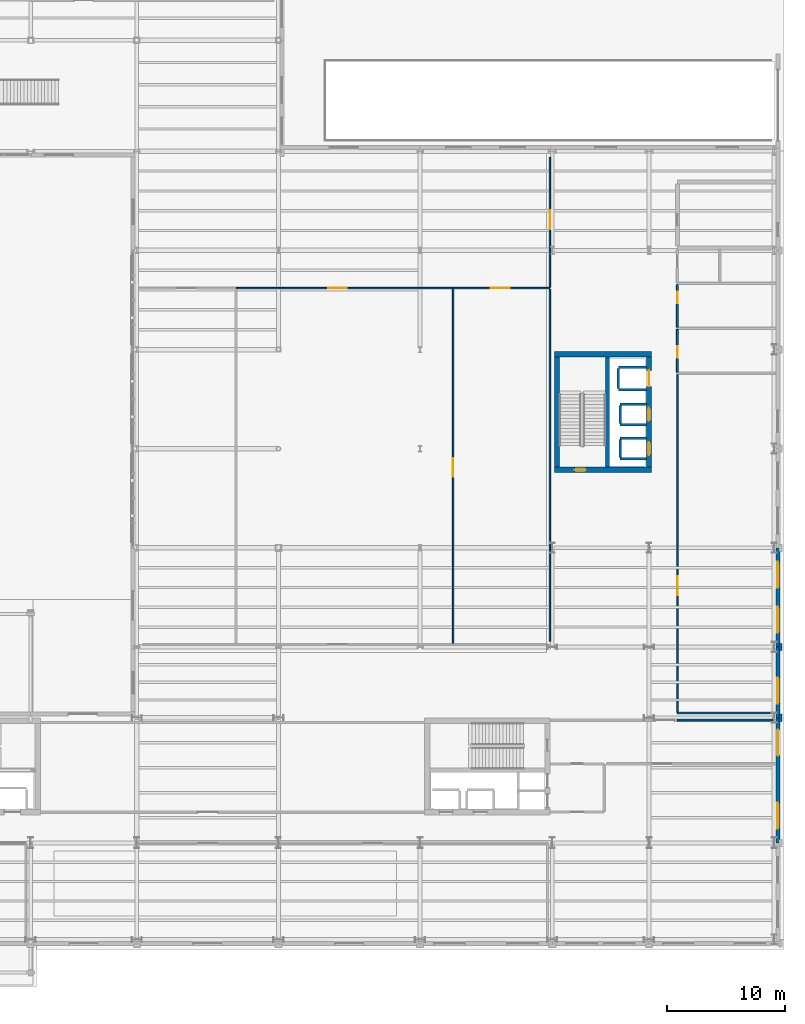
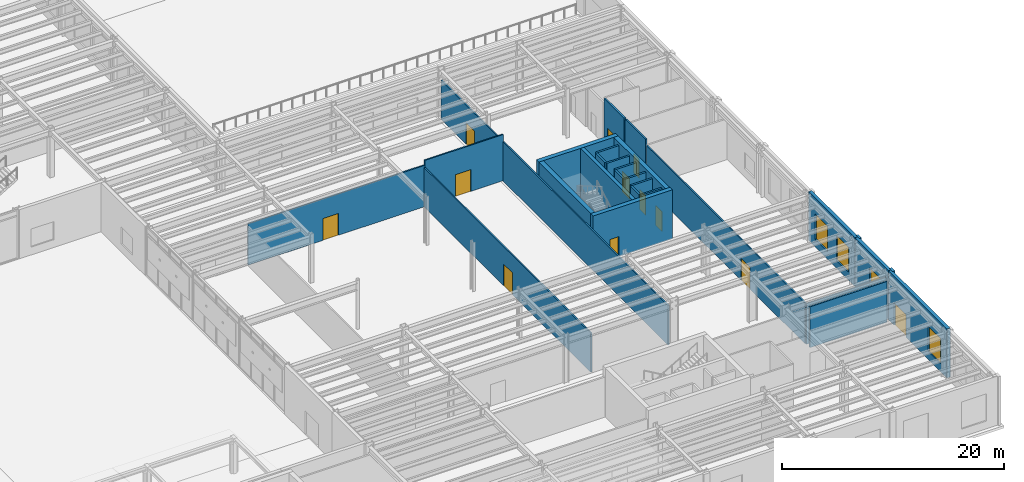
# One storey, part 79 of 94: 29 walls, 12 doors, 4 windows, 16 openings.
"""IFC4 building model written with IfcOpenShell, lengths in metres."""

from ifc_helpers import new_model, si_unit, direction, frame, frame_2d, origin, place, context, subcontext, project, spatial, rectangle, extrude, material, layer, layer_set, type_object, element, fill, save


model = new_model("IFC4")

# Units and contexts
model_context = context("Model", 3, precision=1e-05, world=origin(), true_north=direction((0.0, 1.0)))
body_context = subcontext(model_context, "Body", "Model", "MODEL_VIEW")
ifc_project = project(units=[si_unit("LENGTHUNIT", "METRE"), si_unit("AREAUNIT", "SQUARE_METRE"), si_unit("VOLUMEUNIT", "CUBIC_METRE"), si_unit("PLANEANGLEUNIT", "RADIAN"), si_unit("MASSUNIT", "GRAM", prefix="KILO")], contexts=[model_context])

# Site, building, storey
site_placement = place(None, origin())
site = spatial("IfcSite", under=ifc_project, at=site_placement, CompositionType="ELEMENT")
building_placement = place(site_placement, origin())
building = spatial("IfcBuilding", under=site, at=building_placement, Name="Sollismere Congress Hotel", CompositionType="ELEMENT")
storey_placement = place(building_placement, origin())
storey = spatial("IfcBuildingStorey", under=building, at=storey_placement, Name="L00", CompositionType="ELEMENT", Elevation=0.0)

# Wall, openings, door, window
ifc_material_1 = material(Name="Colorado Buff Sandstone and Limestone Backup C40/50", Category="masonry")
ifc_layer_1 = layer(ifc_material_1, 0.340087890625, Name="Colorado Buff Sandstone and Limestone Backup C40/50")
ifc_layer_set_1 = layer_set([ifc_layer_1], Name="Colorado Buff Sandstone and Limestone Backup C40/50")
wall_type_1 = type_object("IfcWallType", Name="WL-EXT340", PredefinedType="STANDARD", material=ifc_layer_set_1)
wall_1_placement = place(storey_placement, frame((166.31005859375, 8.199951171875, 0.0), z_axis=(0.0, 0.0, 1.0), x_axis=(0.0, 1.0, 0.0)))
wall_1 = element("IfcWall", 1, at=wall_1_placement, inside=storey, type_object=wall_type_1, Name="Exterior wall EW-L00-250", PredefinedType="STANDARD", context=body_context, shape_type="SweptSolid", body=[
    extrude(rectangle(XDim=10.60009765625, YDim=0.340087890625, at=frame_2d((5.300048828125, 0.0))), origin(), (0.0, 0.0, 1.0), 5.39990234375),
])
opening_1_placement = place(wall_1_placement, frame((1.199951171875, 0.0, 0.85009765625)))
opening_1 = element("IfcOpeningElement", 2, at=opening_1_placement, cuts=wall_1, Name="Opening W-L00-208", PredefinedType="OPENING", context=body_context, shape_type="SweptSolid", body=[
    extrude(rectangle(XDim=2.199951171875, YDim=2.800048828125, at=frame_2d((1.10009765625, 1.39990234375))), frame((0.0, 0.179931640625, 0.0), z_axis=(0.0, -1.0, 0.0), x_axis=(1.0, 0.0, 0.0)), (0.0, 0.0, 1.0), 0.360107421875),
])
opening_2_placement = place(wall_1_placement, frame((7.39990234375, 0.0, 0.0)))
opening_2 = element("IfcOpeningElement", 3, at=opening_2_placement, cuts=wall_1, Name="Opening D-EX-ST01", PredefinedType="OPENING", context=body_context, shape_type="SweptSolid", body=[
    extrude(rectangle(XDim=2.199951171875, YDim=2.5, at=frame_2d((1.10009765625, 1.25))), frame((0.0, 0.179931640625, 0.0), z_axis=(0.0, -1.0, 0.0), x_axis=(1.0, 0.0, 0.0)), (0.0, 0.0, 1.0), 0.360107421875),
])
ifc_material_2 = material(Name="Thermally Broken Bronze-Anodized Aluminum & Laminated Glass", Category="aluminium")
door_type_1 = type_object("IfcDoorType", Name="DR-EX220", OperationType="DOUBLE_DOOR_SINGLE_SWING", PredefinedType="DOOR", material=ifc_material_2)
door_1_placement = place(opening_2_placement, frame((2.199951171875, 0.0, 0.0), z_axis=(0.0, 0.0, 1.0), x_axis=(-1.0, 0.0, 0.0)))
door_1 = element("IfcDoor", 4, at=door_1_placement, inside=storey, type_object=door_type_1, Name="DOR-D-EX-ST01", OperationType="DOUBLE_DOOR_SINGLE_SWING", OverallHeight=2.5, OverallWidth=2.199951171875, PredefinedType="DOOR", context=body_context, shape_type="SweptSolid", body=[
    extrude(rectangle(XDim=2.199951171875, YDim=2.5, at=frame_2d((1.10009765625, 1.25))), frame((0.0, 0.02490234375, 0.0), z_axis=(0.0, -1.0, 0.0), x_axis=(1.0, 0.0, 0.0)), (0.0, 0.0, 1.0), 0.050048828125),
])
fill(opening_2, door_1)
ifc_material_3 = material(Name="Thermally Broken Bronze Aluminum & Low-E Glass", Category="aluminium")
window_type = type_object("IfcWindowType", Name="WN-A220x280", PartitioningType="SINGLE_PANEL", PredefinedType="WINDOW", material=ifc_material_3)
window_1_placement = place(opening_1_placement, origin())
window_1 = element("IfcWindow", 5, at=window_1_placement, inside=storey, type_object=window_type, Name="WIN-W-L00-208", OverallHeight=2.800048828125, OverallWidth=2.199951171875, PartitioningType="SINGLE_PANEL", PredefinedType="WINDOW", context=body_context, shape_type="SweptSolid", body=[
    extrude(rectangle(XDim=2.199951171875, YDim=2.800048828125, at=frame_2d((1.10009765625, 1.39990234375))), frame((0.0, 0.030029296875, 0.0), z_axis=(0.0, -1.0, 0.0), x_axis=(1.0, 0.0, 0.0)), (0.0, 0.0, 1.0), 0.06005859375),
])
fill(opening_1, window_1)

# Wall, opening, window
wall_2_placement = place(storey_placement, frame((166.31005859375, 18.800048828125, 0.0), z_axis=(0.0, 0.0, 1.0), x_axis=(0.0, 1.0, 0.0)))
wall_2 = element("IfcWall", 6, at=wall_2_placement, inside=storey, type_object=wall_type_1, Name="Exterior wall EW-L00-252", PredefinedType="STANDARD", context=body_context, shape_type="SweptSolid", body=[
    extrude(rectangle(XDim=6.0, YDim=0.340087890625, at=frame_2d((3.0, 0.0))), origin(), (0.0, 0.0, 1.0), 5.39990234375),
])
opening_3_placement = place(wall_2_placement, frame((1.199951171875, 0.0, 0.85009765625)))
opening_3 = element("IfcOpeningElement", 7, at=opening_3_placement, cuts=wall_2, Name="Opening W-L00-209", PredefinedType="OPENING", context=body_context, shape_type="SweptSolid", body=[
    extrude(rectangle(XDim=2.199951171875, YDim=2.800048828125, at=frame_2d((1.10009765625, 1.39990234375))), frame((0.0, 0.179931640625, 0.0), z_axis=(0.0, -1.0, 0.0), x_axis=(1.0, 0.0, 0.0)), (0.0, 0.0, 1.0), 0.360107421875),
])
window_2_placement = place(opening_3_placement, origin())
window_2 = element("IfcWindow", 8, at=window_2_placement, inside=storey, type_object=window_type, Name="WIN-W-L00-209", OverallHeight=2.800048828125, OverallWidth=2.199951171875, PartitioningType="SINGLE_PANEL", PredefinedType="WINDOW", context=body_context, shape_type="SweptSolid", body=[
    extrude(rectangle(XDim=2.199951171875, YDim=2.800048828125, at=frame_2d((1.10009765625, 1.39990234375))), frame((0.0, 0.030029296875, 0.0), z_axis=(0.0, -1.0, 0.0), x_axis=(1.0, 0.0, 0.0)), (0.0, 0.0, 1.0), 0.06005859375),
])
fill(opening_3, window_2)

# Wall, openings, windows
wall_3_placement = place(storey_placement, frame((166.31005859375, 24.800048828125, 0.0), z_axis=(0.0, 0.0, 1.0), x_axis=(0.0, 1.0, 0.0)))
wall_3 = element("IfcWall", 9, at=wall_3_placement, inside=storey, type_object=wall_type_1, Name="Exterior wall EW-L00-254", PredefinedType="STANDARD", context=body_context, shape_type="SweptSolid", body=[
    extrude(rectangle(XDim=8.39990234375, YDim=0.340087890625, at=frame_2d((4.199951171875, 0.0))), origin(), (0.0, 0.0, 1.0), 5.39990234375),
])
opening_4_placement = place(wall_3_placement, frame((1.199951171875, 0.0, 0.85009765625)))
opening_4 = element("IfcOpeningElement", 10, at=opening_4_placement, cuts=wall_3, Name="Opening W-L00-210", PredefinedType="OPENING", context=body_context, shape_type="SweptSolid", body=[
    extrude(rectangle(XDim=2.199951171875, YDim=2.800048828125, at=frame_2d((1.10009765625, 1.39990234375))), frame((0.0, 0.179931640625, 0.0), z_axis=(0.0, -1.0, 0.0), x_axis=(1.0, 0.0, 0.0)), (0.0, 0.0, 1.0), 0.360107421875),
])
opening_5_placement = place(wall_3_placement, frame((5.0, 0.0, 0.85009765625)))
opening_5 = element("IfcOpeningElement", 11, at=opening_5_placement, cuts=wall_3, Name="Opening W-L00-211", PredefinedType="OPENING", context=body_context, shape_type="SweptSolid", body=[
    extrude(rectangle(XDim=2.199951171875, YDim=2.800048828125, at=frame_2d((1.10009765625, 1.39990234375))), frame((0.0, 0.179931640625, 0.0), z_axis=(0.0, -1.0, 0.0), x_axis=(1.0, 0.0, 0.0)), (0.0, 0.0, 1.0), 0.360107421875),
])
window_3_placement = place(opening_4_placement, origin())
window_3 = element("IfcWindow", 12, at=window_3_placement, inside=storey, type_object=window_type, Name="WIN-W-L00-210", OverallHeight=2.800048828125, OverallWidth=2.199951171875, PartitioningType="SINGLE_PANEL", PredefinedType="WINDOW", context=body_context, shape_type="SweptSolid", body=[
    extrude(rectangle(XDim=2.199951171875, YDim=2.800048828125, at=frame_2d((1.10009765625, 1.39990234375))), frame((0.0, 0.030029296875, 0.0), z_axis=(0.0, -1.0, 0.0), x_axis=(1.0, 0.0, 0.0)), (0.0, 0.0, 1.0), 0.06005859375),
])
fill(opening_4, window_3)
window_4_placement = place(opening_5_placement, origin())
window_4 = element("IfcWindow", 13, at=window_4_placement, inside=storey, type_object=window_type, Name="WIN-W-L00-211", OverallHeight=2.800048828125, OverallWidth=2.199951171875, PartitioningType="SINGLE_PANEL", PredefinedType="WINDOW", context=body_context, shape_type="SweptSolid", body=[
    extrude(rectangle(XDim=2.199951171875, YDim=2.800048828125, at=frame_2d((1.10009765625, 1.39990234375))), frame((0.0, 0.030029296875, 0.0), z_axis=(0.0, -1.0, 0.0), x_axis=(1.0, 0.0, 0.0)), (0.0, 0.0, 1.0), 0.06005859375),
])
fill(opening_5, window_4)

# Walls
ifc_material_4 = material(Name="Carved Travertine Pilaster & Frieze Assembly", Category="masonry")
ifc_layer_2 = layer(ifc_material_4, 0.260009765625, Name="Carved Travertine Pilaster & Frieze Assembly")
ifc_layer_set_2 = layer_set([ifc_layer_2], Name="Carved Travertine Pilaster & Frieze Assembly")
wall_type_2 = type_object("IfcWallType", Name="WL-PIL280", PredefinedType="ELEMENTEDWALL", material=ifc_layer_set_2)
for number, where, z_axis, x_axis, name in (
    (14, (166.52001953125, 18.5, 0.0), (0.0, 0.0, 1.0), (0.0, 1.0, 0.0), "Exterior wall EW-L00-253"),
    (15, (166.52001953125, 24.5, 0.0), (0.0, 0.0, 1.0), (0.0, 1.0, 0.0), "Exterior wall EW-L00-255"),
):
    element("IfcWall", number, at=place(storey_placement, frame(where, z_axis=z_axis, x_axis=x_axis)), inside=storey, type_object=wall_type_2, Name=name, PredefinedType="ELEMENTEDWALL", context=body_context, shape_type="SweptSolid", body=[
        extrude(rectangle(XDim=0.60009765625, YDim=0.260009765625, at=frame_2d((0.300048828125, 0.0))), origin(), (0.0, 0.0, 1.0), 5.39990234375),
    ])
ifc_material_5 = material(Name="Moisture-Resistant Shaft Gypsum Assembly")
ifc_layer_3 = layer(ifc_material_5, 0.199951171875, Name="Moisture-Resistant Shaft Gypsum Assembly")
ifc_layer_set_3 = layer_set([ifc_layer_3], Name="Moisture-Resistant Shaft Gypsum Assembly")
wall_type_3 = type_object("IfcWallType", Name="WL-PLM200", PredefinedType="PLUMBINGWALL", material=ifc_layer_set_3)
for number, where, z_axis, x_axis, name in (
    (16, (152.955078125, 40.72998046875, 0.0), (0.0, 0.0, 1.0), (1.0, 0.0, 0.0), "Interior wall IW-L00-0397"),
    (17, (152.955078125, 42.469970703125, 0.0), (0.0, 0.0, 1.0), (1.0, 0.0, 0.0), "Interior wall IW-L00-0398"),
):
    element("IfcWall", number, at=place(storey_placement, frame(where, z_axis=z_axis, x_axis=x_axis)), inside=storey, type_object=wall_type_3, Name=name, PredefinedType="PLUMBINGWALL", context=body_context, shape_type="SweptSolid", body=[
        extrude(rectangle(XDim=2.2080078125, YDim=0.199951171875, at=frame_2d((1.10400390625, 0.0))), origin(), (0.0, 0.0, 1.0), 5.090087890625),
    ])
wall_4_placement = place(storey_placement, frame((152.955078125, 40.842041015625, 0.0), z_axis=(0.0, 0.0, 1.0), x_axis=(0.0, 1.0, 0.0)))
element("IfcWall", 18, at=wall_4_placement, inside=storey, type_object=wall_type_3, Name="Interior wall IW-L00-0399", PredefinedType="PLUMBINGWALL", context=body_context, shape_type="SweptSolid", body=[
    extrude(rectangle(XDim=1.515869140625, YDim=0.199951171875, at=frame_2d((0.7578125, 0.0))), origin(), (0.0, 0.0, 1.0), 5.090087890625),
])
for number, where, z_axis, x_axis, name in (
    (19, (152.955078125, 43.6298828125, 0.0), (0.0, 0.0, 1.0), (1.0, 0.0, 0.0), "Interior wall IW-L00-0400"),
    (20, (152.955078125, 45.3701171875, 0.0), (0.0, 0.0, 1.0), (1.0, 0.0, 0.0), "Interior wall IW-L00-0401"),
):
    element("IfcWall", number, at=place(storey_placement, frame(where, z_axis=z_axis, x_axis=x_axis)), inside=storey, type_object=wall_type_3, Name=name, PredefinedType="PLUMBINGWALL", context=body_context, shape_type="SweptSolid", body=[
        extrude(rectangle(XDim=2.2080078125, YDim=0.199951171875, at=frame_2d((1.10400390625, 0.0))), origin(), (0.0, 0.0, 1.0), 5.090087890625),
    ])
wall_5_placement = place(storey_placement, frame((152.955078125, 43.741943359375, 0.0), z_axis=(0.0, 0.0, 1.0), x_axis=(0.0, 1.0, 0.0)))
element("IfcWall", 21, at=wall_5_placement, inside=storey, type_object=wall_type_3, Name="Interior wall IW-L00-0402", PredefinedType="PLUMBINGWALL", context=body_context, shape_type="SweptSolid", body=[
    extrude(rectangle(XDim=1.51611328125, YDim=0.199951171875, at=frame_2d((0.758056640625, 0.0))), origin(), (0.0, 0.0, 1.0), 5.090087890625),
])
for number, where, z_axis, x_axis, name in (
    (22, (152.800048828125, 46.60498046875, 0.0), (0.0, 0.0, 1.0), (1.0, 0.0, 0.0), "Interior wall IW-L00-0403"),
    (23, (152.800048828125, 48.4951171875, 0.0), (0.0, 0.0, 1.0), (1.0, 0.0, 0.0), "Interior wall IW-L00-0404"),
):
    element("IfcWall", number, at=place(storey_placement, frame(where, z_axis=z_axis, x_axis=x_axis)), inside=storey, type_object=wall_type_3, Name=name, PredefinedType="PLUMBINGWALL", context=body_context, shape_type="SweptSolid", body=[
        extrude(rectangle(XDim=2.363037109375, YDim=0.199951171875, at=frame_2d((1.181640625, 0.0))), origin(), (0.0, 0.0, 1.0), 5.090087890625),
    ])
wall_6_placement = place(storey_placement, frame((152.800048828125, 46.717041015625, 0.0), z_axis=(0.0, 0.0, 1.0), x_axis=(0.0, 1.0, 0.0)))
element("IfcWall", 24, at=wall_6_placement, inside=storey, type_object=wall_type_3, Name="Interior wall IW-L00-0405", PredefinedType="PLUMBINGWALL", context=body_context, shape_type="SweptSolid", body=[
    extrude(rectangle(XDim=1.666015625, YDim=0.199951171875, at=frame_2d((0.8330078125, 0.0))), origin(), (0.0, 0.0, 1.0), 5.090087890625),
])
ifc_material_6 = material(Name="Fire-Rated Gypsum Partition")
ifc_layer_4 = layer(ifc_material_6, 0.139892578125, Name="Fire-Rated Gypsum Partition")
ifc_layer_set_4 = layer_set([ifc_layer_4], Name="Fire-Rated Gypsum Partition")
wall_type_4 = type_object("IfcWallType", Name="WL-PRT140R", PredefinedType="PARTITIONING", material=ifc_layer_set_4)
wall_7_placement = place(storey_placement, frame((157.800048828125, 19.199951171875, 0.0), z_axis=(0.0, 0.0, 1.0), x_axis=(1.0, 0.0, 0.0)))
element("IfcWall", 25, at=wall_7_placement, inside=storey, type_object=wall_type_4, Name="Interior wall IW-L00-0786", PredefinedType="PARTITIONING", context=body_context, shape_type="SweptSolid", body=[
    extrude(rectangle(XDim=8.324951171875, YDim=0.139892578125, at=frame_2d((4.16259765625, 0.0))), origin(), (0.0, 0.0, 1.0), 4.47998046875),
])

# Wall, opening, door
wall_8_placement = place(storey_placement, frame((120.39990234375, 55.199951171875, 0.0), z_axis=(0.0, 0.0, 1.0), x_axis=(1.0, 0.0, 0.0)))
wall_8 = element("IfcWall", 26, at=wall_8_placement, inside=storey, type_object=wall_type_4, Name="Interior wall IW-L00-0798", PredefinedType="PARTITIONING", context=body_context, shape_type="SweptSolid", body=[
    extrude(rectangle(XDim=18.400146484375, YDim=0.139892578125, at=frame_2d((9.2001953125, 0.0))), origin(), (0.0, 0.0, 1.0), 4.56396484375),
])
opening_6_placement = place(wall_8_placement, frame((7.800048828125, 0.0, 0.0)))
opening_6 = element("IfcOpeningElement", 27, at=opening_6_placement, cuts=wall_8, Name="Opening D-L00-0274", PredefinedType="OPENING", context=body_context, shape_type="SweptSolid", body=[
    extrude(rectangle(XDim=1.60009765625, YDim=2.39990234375, at=frame_2d((0.800048828125, 1.199951171875))), frame((0.0, 0.079833984375, 0.0), z_axis=(0.0, -1.0, 0.0), x_axis=(1.0, 0.0, 0.0)), (0.0, 0.0, 1.0), 0.159912109375),
])
ifc_material_7 = material(Name="Acoustic Oak Double Meeting Door")
door_type_2 = type_object("IfcDoorType", Name="DR-MT160", OperationType="NOTDEFINED", PredefinedType="DOOR", material=ifc_material_7)
door_2_placement = place(opening_6_placement, origin())
door_2 = element("IfcDoor", 28, at=door_2_placement, inside=storey, type_object=door_type_2, Name="Interior door D-L00-0274", OperationType="DOUBLE_DOOR_SINGLE_SWING", OverallHeight=2.39990234375, OverallWidth=1.60009765625, PredefinedType="DOOR", context=body_context, shape_type="SweptSolid", body=[
    extrude(rectangle(XDim=1.60009765625, YDim=2.39990234375, at=frame_2d((0.800048828125, 1.199951171875))), frame((0.0, 0.02490234375, 0.0), z_axis=(0.0, -1.0, 0.0), x_axis=(1.0, 0.0, 0.0)), (0.0, 0.0, 1.0), 0.050048828125),
])
fill(opening_6, door_2)

wall_9_placement = place(storey_placement, frame((138.800048828125, 55.199951171875, 0.0), z_axis=(0.0, 0.0, 1.0), x_axis=(1.0, 0.0, 0.0)))
wall_9 = element("IfcWall", 29, at=wall_9_placement, inside=storey, type_object=wall_type_4, Name="Interior wall IW-L00-0799", PredefinedType="PARTITIONING", context=body_context, shape_type="SweptSolid", body=[
    extrude(rectangle(XDim=8.199951171875, YDim=0.139892578125, at=frame_2d((4.10009765625, 0.0))), origin(), (0.0, 0.0, 1.0), 5.090087890625),
])
opening_7_placement = place(wall_9_placement, frame((3.199951171875, 0.0, 0.0)))
opening_7 = element("IfcOpeningElement", 30, at=opening_7_placement, cuts=wall_9, Name="Opening D-L00-0275", PredefinedType="OPENING", context=body_context, shape_type="SweptSolid", body=[
    extrude(rectangle(XDim=1.60009765625, YDim=2.39990234375, at=frame_2d((0.800048828125, 1.199951171875))), frame((0.0, 0.079833984375, 0.0), z_axis=(0.0, -1.0, 0.0), x_axis=(1.0, 0.0, 0.0)), (0.0, 0.0, 1.0), 0.159912109375),
])
door_3_placement = place(opening_7_placement, origin())
door_3 = element("IfcDoor", 31, at=door_3_placement, inside=storey, type_object=door_type_2, Name="Interior door D-L00-0275", OperationType="DOUBLE_DOOR_SINGLE_SWING", OverallHeight=2.39990234375, OverallWidth=1.60009765625, PredefinedType="DOOR", context=body_context, shape_type="SweptSolid", body=[
    extrude(rectangle(XDim=1.60009765625, YDim=2.39990234375, at=frame_2d((0.800048828125, 1.199951171875))), frame((0.0, 0.02490234375, 0.0), z_axis=(0.0, -1.0, 0.0), x_axis=(1.0, 0.0, 0.0)), (0.0, 0.0, 1.0), 0.050048828125),
])
fill(opening_7, door_3)

wall_10_placement = place(storey_placement, frame((138.800048828125, 25.08203125, 0.0), z_axis=(0.0, 0.0, 1.0), x_axis=(0.0, 1.0, 0.0)))
wall_10 = element("IfcWall", 32, at=wall_10_placement, inside=storey, type_object=wall_type_4, Name="Interior wall IW-L00-0833", PredefinedType="PARTITIONING", context=body_context, shape_type="SweptSolid", body=[
    extrude(rectangle(XDim=30.035888671875, YDim=0.139892578125, at=frame_2d((15.01806640625, 0.0))), origin(), (0.0, 0.0, 1.0), 4.327880859375),
])
opening_8_placement = place(wall_10_placement, frame((14.117919921875, 0.0, 0.0)))
opening_8 = element("IfcOpeningElement", 33, at=opening_8_placement, cuts=wall_10, Name="Opening D-L00-0288", PredefinedType="OPENING", context=body_context, shape_type="SweptSolid", body=[
    extrude(rectangle(XDim=1.60009765625, YDim=2.39990234375, at=frame_2d((0.800048828125, 1.199951171875))), frame((0.0, 0.079833984375, 0.0), z_axis=(0.0, -1.0, 0.0), x_axis=(1.0, 0.0, 0.0)), (0.0, 0.0, 1.0), 0.159912109375),
])
door_4_placement = place(opening_8_placement, origin())
door_4 = element("IfcDoor", 34, at=door_4_placement, inside=storey, type_object=door_type_2, Name="Interior door D-L00-0288", OperationType="DOUBLE_DOOR_SINGLE_SWING", OverallHeight=2.39990234375, OverallWidth=1.60009765625, PredefinedType="DOOR", context=body_context, shape_type="SweptSolid", body=[
    extrude(rectangle(XDim=1.60009765625, YDim=2.39990234375, at=frame_2d((0.800048828125, 1.199951171875))), frame((0.0, 0.02490234375, 0.0), z_axis=(0.0, -1.0, 0.0), x_axis=(1.0, 0.0, 0.0)), (0.0, 0.0, 1.0), 0.050048828125),
])
fill(opening_8, door_4)

# Wall
wall_11_placement = place(storey_placement, frame((147.0, 25.300048828125, 0.0), z_axis=(0.0, 0.0, 1.0), x_axis=(0.0, 1.0, 0.0)))
element("IfcWall", 35, at=wall_11_placement, inside=storey, type_object=wall_type_4, Name="Interior wall IW-L00-0835", PredefinedType="PARTITIONING", context=body_context, shape_type="SweptSolid", body=[
    extrude(rectangle(XDim=29.81787109375, YDim=0.139892578125, at=frame_2d((14.908935546875, 0.0))), origin(), (0.0, 0.0, 1.0), 4.327880859375),
])

# Wall, opening, door
wall_12_placement = place(storey_placement, frame((147.0, 55.281982421875, 0.0), z_axis=(0.0, 0.0, 1.0), x_axis=(0.0, 1.0, 0.0)))
wall_12 = element("IfcWall", 36, at=wall_12_placement, inside=storey, type_object=wall_type_4, Name="Interior wall IW-L00-0836", PredefinedType="PARTITIONING", context=body_context, shape_type="SweptSolid", body=[
    extrude(rectangle(XDim=11.01806640625, YDim=0.139892578125, at=frame_2d((5.509033203125, 0.0))), origin(), (0.0, 0.0, 1.0), 4.327880859375),
])
opening_9_placement = place(wall_12_placement, frame((4.91796875, 0.0, 0.0)))
opening_9 = element("IfcOpeningElement", 37, at=opening_9_placement, cuts=wall_12, Name="Opening D-L00-0289", PredefinedType="OPENING", context=body_context, shape_type="SweptSolid", body=[
    extrude(rectangle(XDim=1.60009765625, YDim=2.39990234375, at=frame_2d((0.800048828125, 1.199951171875))), frame((0.0, 0.079833984375, 0.0), z_axis=(0.0, -1.0, 0.0), x_axis=(1.0, 0.0, 0.0)), (0.0, 0.0, 1.0), 0.159912109375),
])
door_5_placement = place(opening_9_placement, origin())
door_5 = element("IfcDoor", 38, at=door_5_placement, inside=storey, type_object=door_type_2, Name="Interior door D-L00-0289", OperationType="DOUBLE_DOOR_SINGLE_SWING", OverallHeight=2.39990234375, OverallWidth=1.60009765625, PredefinedType="DOOR", context=body_context, shape_type="SweptSolid", body=[
    extrude(rectangle(XDim=1.60009765625, YDim=2.39990234375, at=frame_2d((0.800048828125, 1.199951171875))), frame((0.0, 0.02490234375, 0.0), z_axis=(0.0, -1.0, 0.0), x_axis=(1.0, 0.0, 0.0)), (0.0, 0.0, 1.0), 0.050048828125),
])
fill(opening_9, door_5)

wall_13_placement = place(storey_placement, frame((157.800048828125, 19.281982421875, 0.0), z_axis=(0.0, 0.0, 1.0), x_axis=(0.0, 1.0, 0.0)))
wall_13 = element("IfcWall", 39, at=wall_13_placement, inside=storey, type_object=wall_type_4, Name="Interior wall IW-L00-0837", PredefinedType="PARTITIONING", context=body_context, shape_type="SweptSolid", body=[
    extrude(rectangle(XDim=28.62353515625, YDim=0.139892578125, at=frame_2d((14.311767578125, 0.0))), origin(), (0.0, 0.0, 1.0), 4.5029296875),
])
opening_10_placement = place(wall_13_placement, frame((9.91796875, 0.0, 0.0)))
opening_10 = element("IfcOpeningElement", 40, at=opening_10_placement, cuts=wall_13, Name="Opening D-L00-0290", PredefinedType="OPENING", context=body_context, shape_type="SweptSolid", body=[
    extrude(rectangle(XDim=1.60009765625, YDim=2.39990234375, at=frame_2d((0.800048828125, 1.199951171875))), frame((0.0, 0.079833984375, 0.0), z_axis=(0.0, -1.0, 0.0), x_axis=(1.0, 0.0, 0.0)), (0.0, 0.0, 1.0), 0.159912109375),
])
door_6_placement = place(opening_10_placement, origin())
door_6 = element("IfcDoor", 41, at=door_6_placement, inside=storey, type_object=door_type_2, Name="Interior door D-L00-0290", OperationType="DOUBLE_DOOR_SINGLE_SWING", OverallHeight=2.39990234375, OverallWidth=1.60009765625, PredefinedType="DOOR", context=body_context, shape_type="SweptSolid", body=[
    extrude(rectangle(XDim=1.60009765625, YDim=2.39990234375, at=frame_2d((0.800048828125, 1.199951171875))), frame((0.0, 0.02490234375, 0.0), z_axis=(0.0, -1.0, 0.0), x_axis=(1.0, 0.0, 0.0)), (0.0, 0.0, 1.0), 0.050048828125),
])
fill(opening_10, door_6)

# Wall
ifc_material_8 = material(Name="Fire-Rated Acoustic Gypsum Partition")
ifc_layer_5 = layer(ifc_material_8, 0.1650390625, Name="Fire-Rated Acoustic Gypsum Partition")
ifc_layer_set_5 = layer_set([ifc_layer_5], Name="Fire-Rated Acoustic Gypsum Partition")
wall_type_5 = type_object("IfcWallType", Name="WL-PRT165R", PredefinedType="PARTITIONING", material=ifc_layer_set_5)
wall_14_placement = place(storey_placement, frame((157.800048828125, 18.60009765625, 0.0), z_axis=(0.0, 0.0, 1.0), x_axis=(1.0, 0.0, 0.0)))
element("IfcWall", 42, at=wall_14_placement, inside=storey, type_object=wall_type_5, Name="Interior wall IW-L00-0785", PredefinedType="PARTITIONING", context=body_context, shape_type="SweptSolid", body=[
    extrude(rectangle(XDim=8.06005859375, YDim=0.1650390625, at=frame_2d((4.030029296875, 0.0))), origin(), (0.0, 0.0, 1.0), 4.5029296875),
])

# Wall, opening, door
wall_15_placement = place(storey_placement, frame((157.800048828125, 48.094482421875, 0.0), z_axis=(0.0, 0.0, 1.0), x_axis=(0.0, 1.0, 0.0)))
wall_15 = element("IfcWall", 43, at=wall_15_placement, inside=storey, type_object=wall_type_5, Name="Interior wall IW-L00-0838", PredefinedType="PARTITIONING", context=body_context, shape_type="SweptSolid", body=[
    extrude(rectangle(XDim=3.611083984375, YDim=0.1650390625, at=frame_2d((1.8056640625, 0.0))), origin(), (0.0, 0.0, 1.0), 5.090087890625),
])
opening_11_placement = place(wall_15_placement, frame((1.22607421875, 0.0, 0.0)))
opening_11 = element("IfcOpeningElement", 44, at=opening_11_placement, cuts=wall_15, Name="Opening D-L00-0291", PredefinedType="OPENING", context=body_context, shape_type="SweptSolid", body=[
    extrude(rectangle(XDim=0.9599609375, YDim=2.14990234375, at=frame_2d((0.47998046875, 1.074951171875))), frame((0.0, 0.092529296875, 0.0), z_axis=(0.0, -1.0, 0.0), x_axis=(1.0, 0.0, 0.0)), (0.0, 0.0, 1.0), 0.18505859375),
])
ifc_material_9 = material(Name="Fire-Rated Accessible Restroom Door")
door_type_3 = type_object("IfcDoorType", Name="DR-AWC01", OperationType="NOTDEFINED", PredefinedType="DOOR", material=ifc_material_9)
door_7_placement = place(opening_11_placement, origin())
door_7 = element("IfcDoor", 45, at=door_7_placement, inside=storey, type_object=door_type_3, Name="Interior door D-L00-0291", OperationType="SINGLE_SWING_LEFT", OverallHeight=2.14990234375, OverallWidth=0.9599609375, PredefinedType="DOOR", context=body_context, shape_type="SweptSolid", body=[
    extrude(rectangle(XDim=0.9599609375, YDim=2.14990234375, at=frame_2d((0.47998046875, 1.074951171875))), frame((0.0, 0.02490234375, 0.0), z_axis=(0.0, -1.0, 0.0), x_axis=(1.0, 0.0, 0.0)), (0.0, 0.0, 1.0), 0.050048828125),
])
fill(opening_11, door_7)

wall_16_placement = place(storey_placement, frame((157.800048828125, 51.89453125, 0.0), z_axis=(0.0, 0.0, 1.0), x_axis=(0.0, 1.0, 0.0)))
wall_16 = element("IfcWall", 46, at=wall_16_placement, inside=storey, type_object=wall_type_5, Name="Interior wall IW-L00-0839", PredefinedType="PARTITIONING", context=body_context, shape_type="SweptSolid", body=[
    extrude(rectangle(XDim=3.611083984375, YDim=0.1650390625, at=frame_2d((1.8056640625, 0.0))), origin(), (0.0, 0.0, 1.0), 5.090087890625),
])
opening_12_placement = place(wall_16_placement, frame((2.02490234375, 0.0, 0.0)))
opening_12 = element("IfcOpeningElement", 47, at=opening_12_placement, cuts=wall_16, Name="Opening D-L00-0292", PredefinedType="OPENING", context=body_context, shape_type="SweptSolid", body=[
    extrude(rectangle(XDim=0.9599609375, YDim=2.14990234375, at=frame_2d((0.47998046875, 1.074951171875))), frame((0.0, 0.092529296875, 0.0), z_axis=(0.0, -1.0, 0.0), x_axis=(1.0, 0.0, 0.0)), (0.0, 0.0, 1.0), 0.18505859375),
])
door_8_placement = place(opening_12_placement, origin())
door_8 = element("IfcDoor", 48, at=door_8_placement, inside=storey, type_object=door_type_3, Name="Interior door D-L00-0292", OperationType="SINGLE_SWING_RIGHT", OverallHeight=2.14990234375, OverallWidth=0.9599609375, PredefinedType="DOOR", context=body_context, shape_type="SweptSolid", body=[
    extrude(rectangle(XDim=0.9599609375, YDim=2.14990234375, at=frame_2d((0.47998046875, 1.074951171875))), frame((0.0, 0.02490234375, 0.0), z_axis=(0.0, -1.0, 0.0), x_axis=(1.0, 0.0, 0.0)), (0.0, 0.0, 1.0), 0.050048828125),
])
fill(opening_12, door_8)

# Wall
ifc_material_10 = material(Name="Concrete C50/60", Category="concrete")
ifc_layer_6 = layer(ifc_material_10, 0.35009765625, Name="Concrete C50/60")
ifc_layer_set_6 = layer_set([ifc_layer_6], Name="Concrete C50/60")
wall_type_6 = type_object("IfcWallType", Name="WL-SHR350", PredefinedType="SHEAR", material=ifc_layer_set_6)
wall_17_placement = place(storey_placement, frame((151.875, 40.02490234375, 0.0), z_axis=(0.0, 0.0, 1.0), x_axis=(0.0, 1.0, 0.0)))
element("IfcWall", 49, at=wall_17_placement, inside=storey, type_object=wall_type_6, Name="Interior wall IW-L00-0396", PredefinedType="SHEAR", context=body_context, shape_type="SweptSolid", body=[
    extrude(rectangle(XDim=9.35009765625, YDim=0.35009765625, at=frame_2d((4.675048828125, 0.0))), origin(), (0.0, 0.0, 1.0), 5.39990234375),
])

# Wall, opening, door
ifc_layer_7 = layer(ifc_material_10, 0.449951171875, Name="Concrete C50/60")
ifc_layer_set_7 = layer_set([ifc_layer_7], Name="Concrete C50/60")
wall_type_7 = type_object("IfcWallType", Name="WL-SHR450", PredefinedType="SHEAR", material=ifc_layer_set_7)
wall_18_placement = place(storey_placement, frame((147.375, 39.800048828125, 0.0), z_axis=(0.0, 0.0, 1.0), x_axis=(1.0, 0.0, 0.0)))
wall_18 = element("IfcWall", 50, at=wall_18_placement, inside=storey, type_object=wall_type_7, Name="Interior wall IW-L00-0392", PredefinedType="SHEAR", context=body_context, shape_type="SweptSolid", body=[
    extrude(rectangle(XDim=8.25, YDim=0.449951171875, at=frame_2d((4.125, 0.0))), origin(), (0.0, 0.0, 1.0), 5.39990234375),
])
opening_13_placement = place(wall_18_placement, frame((1.72509765625, 0.0, 0.0)))
opening_13 = element("IfcOpeningElement", 51, at=opening_13_placement, cuts=wall_18, Name="Opening D-ST-03-L00", PredefinedType="OPENING", context=body_context, shape_type="SweptSolid", body=[
    extrude(rectangle(XDim=0.949951171875, YDim=2.199951171875, at=frame_2d((0.47509765625, 1.10009765625))), frame((0.0, 0.23486328125, 0.0), z_axis=(0.0, -1.0, 0.0), x_axis=(1.0, 0.0, 0.0)), (0.0, 0.0, 1.0), 0.469970703125),
])
ifc_material_11 = material(Name="Fire-Rated Insulated Steel Door", Category="steel")
door_type_4 = type_object("IfcDoorType", Name="DR-FD90", OperationType="NOTDEFINED", PredefinedType="DOOR", material=ifc_material_11)
door_9_placement = place(opening_13_placement, frame((0.949951171875, 0.0, 0.0), z_axis=(0.0, 0.0, 1.0), x_axis=(-1.0, 0.0, 0.0)))
door_9 = element("IfcDoor", 52, at=door_9_placement, inside=storey, type_object=door_type_4, Name="Exit stair fire door D-ST-03-L00", OperationType="SINGLE_SWING_RIGHT", OverallHeight=2.199951171875, OverallWidth=0.949951171875, PredefinedType="DOOR", context=body_context, shape_type="SweptSolid", body=[
    extrude(rectangle(XDim=0.949951171875, YDim=2.199951171875, at=frame_2d((0.47509765625, 1.10009765625))), frame((0.0, 0.02490234375, 0.0), z_axis=(0.0, -1.0, 0.0), x_axis=(1.0, 0.0, 0.0)), (0.0, 0.0, 1.0), 0.050048828125),
])
fill(opening_13, door_9)

# Walls
wall_19_placement = place(storey_placement, frame((155.625, 49.60009765625, 0.0), z_axis=(0.0, 0.0, 1.0), x_axis=(-1.0, 0.0, 0.0)))
element("IfcWall", 53, at=wall_19_placement, inside=storey, type_object=wall_type_7, Name="Interior wall IW-L00-0393", PredefinedType="SHEAR", context=body_context, shape_type="SweptSolid", body=[
    extrude(rectangle(XDim=8.25, YDim=0.449951171875, at=frame_2d((4.125, 0.0))), origin(), (0.0, 0.0, 1.0), 5.39990234375),
])
wall_20_placement = place(storey_placement, frame((147.60009765625, 49.375, 0.0), z_axis=(0.0, 0.0, 1.0), x_axis=(0.0, -1.0, 0.0)))
element("IfcWall", 54, at=wall_20_placement, inside=storey, type_object=wall_type_7, Name="Interior wall IW-L00-0394", PredefinedType="SHEAR", context=body_context, shape_type="SweptSolid", body=[
    extrude(rectangle(XDim=9.35009765625, YDim=0.449951171875, at=frame_2d((4.675048828125, 0.0))), origin(), (0.0, 0.0, 1.0), 5.39990234375),
])

# Wall, openings, doors
wall_21_placement = place(storey_placement, frame((155.39990234375, 40.02490234375, 0.0), z_axis=(0.0, 0.0, 1.0), x_axis=(0.0, 1.0, 0.0)))
wall_21 = element("IfcWall", 55, at=wall_21_placement, inside=storey, type_object=wall_type_7, Name="Interior wall IW-L00-0395", PredefinedType="SHEAR", context=body_context, shape_type="SweptSolid", body=[
    extrude(rectangle(XDim=9.35009765625, YDim=0.449951171875, at=frame_2d((4.675048828125, 0.0))), origin(), (0.0, 0.0, 1.0), 5.39990234375),
])
opening_14_placement = place(wall_21_placement, frame((1.02490234375, 0.0, 0.0)))
opening_14 = element("IfcOpeningElement", 56, at=opening_14_placement, cuts=wall_21, Name="Opening LD-LP-05-L00", PredefinedType="OPENING", context=body_context, shape_type="SweptSolid", body=[
    extrude(rectangle(XDim=1.10009765625, YDim=2.199951171875, at=frame_2d((0.550048828125, 1.10009765625))), frame((0.0, 0.23486328125, 0.0), z_axis=(0.0, -1.0, 0.0), x_axis=(1.0, 0.0, 0.0)), (0.0, 0.0, 1.0), 0.469970703125),
])
opening_15_placement = place(wall_21_placement, frame((3.925048828125, 0.0, 0.0)))
opening_15 = element("IfcOpeningElement", 57, at=opening_15_placement, cuts=wall_21, Name="Opening LD-LP-06-L00", PredefinedType="OPENING", context=body_context, shape_type="SweptSolid", body=[
    extrude(rectangle(XDim=1.10009765625, YDim=2.199951171875, at=frame_2d((0.550048828125, 1.10009765625))), frame((0.0, 0.23486328125, 0.0), z_axis=(0.0, -1.0, 0.0), x_axis=(1.0, 0.0, 0.0)), (0.0, 0.0, 1.0), 0.469970703125),
])
opening_16_placement = place(wall_21_placement, frame((6.85009765625, 0.0, 0.0)))
opening_16 = element("IfcOpeningElement", 58, at=opening_16_placement, cuts=wall_21, Name="Opening LD-LS-02-L00", PredefinedType="OPENING", context=body_context, shape_type="SweptSolid", body=[
    extrude(rectangle(XDim=1.35009765625, YDim=2.300048828125, at=frame_2d((0.675048828125, 1.14990234375))), frame((0.0, 0.23486328125, 0.0), z_axis=(0.0, -1.0, 0.0), x_axis=(1.0, 0.0, 0.0)), (0.0, 0.0, 1.0), 0.469970703125),
])
ifc_material_12 = material(Name="Brushed Bronze Sliding Elevator Landing Door")
door_type_5 = type_object("IfcDoorType", Name="DR-LD110", OperationType="NOTDEFINED", PredefinedType="DOOR", material=ifc_material_12)
door_10_placement = place(opening_14_placement, origin())
door_10 = element("IfcDoor", 59, at=door_10_placement, inside=storey, type_object=door_type_5, Name="Elevator landing door LD-LP-05-L00", OperationType="SLIDING_TO_LEFT", OverallHeight=2.199951171875, OverallWidth=1.10009765625, PredefinedType="DOOR", context=body_context, shape_type="SweptSolid", body=[
    extrude(rectangle(XDim=1.10009765625, YDim=2.199951171875, at=frame_2d((0.550048828125, 1.10009765625))), frame((0.0, 0.02490234375, 0.0), z_axis=(0.0, -1.0, 0.0), x_axis=(1.0, 0.0, 0.0)), (0.0, 0.0, 1.0), 0.050048828125),
])
fill(opening_14, door_10)
door_11_placement = place(opening_15_placement, origin())
door_11 = element("IfcDoor", 60, at=door_11_placement, inside=storey, type_object=door_type_5, Name="Elevator landing door LD-LP-06-L00", OperationType="SLIDING_TO_RIGHT", OverallHeight=2.199951171875, OverallWidth=1.10009765625, PredefinedType="DOOR", context=body_context, shape_type="SweptSolid", body=[
    extrude(rectangle(XDim=1.10009765625, YDim=2.199951171875, at=frame_2d((0.550048828125, 1.10009765625))), frame((0.0, 0.02490234375, 0.0), z_axis=(0.0, -1.0, 0.0), x_axis=(1.0, 0.0, 0.0)), (0.0, 0.0, 1.0), 0.050048828125),
])
fill(opening_15, door_11)
ifc_material_13 = material(Name="Heavy-Duty Stainless Sliding Service Landing Door")
door_type_6 = type_object("IfcDoorType", Name="DR-LD135", OperationType="NOTDEFINED", PredefinedType="DOOR", material=ifc_material_13)
door_12_placement = place(opening_16_placement, origin())
door_12 = element("IfcDoor", 61, at=door_12_placement, inside=storey, type_object=door_type_6, Name="Elevator landing door LD-LS-02-L00", OperationType="SLIDING_TO_LEFT", OverallHeight=2.300048828125, OverallWidth=1.35009765625, PredefinedType="DOOR", context=body_context, shape_type="SweptSolid", body=[
    extrude(rectangle(XDim=1.35009765625, YDim=2.300048828125, at=frame_2d((0.675048828125, 1.14990234375))), frame((0.0, 0.02490234375, 0.0), z_axis=(0.0, -1.0, 0.0), x_axis=(1.0, 0.0, 0.0)), (0.0, 0.0, 1.0), 0.050048828125),
])
fill(opening_16, door_12)

save(model, "model.ifc")
